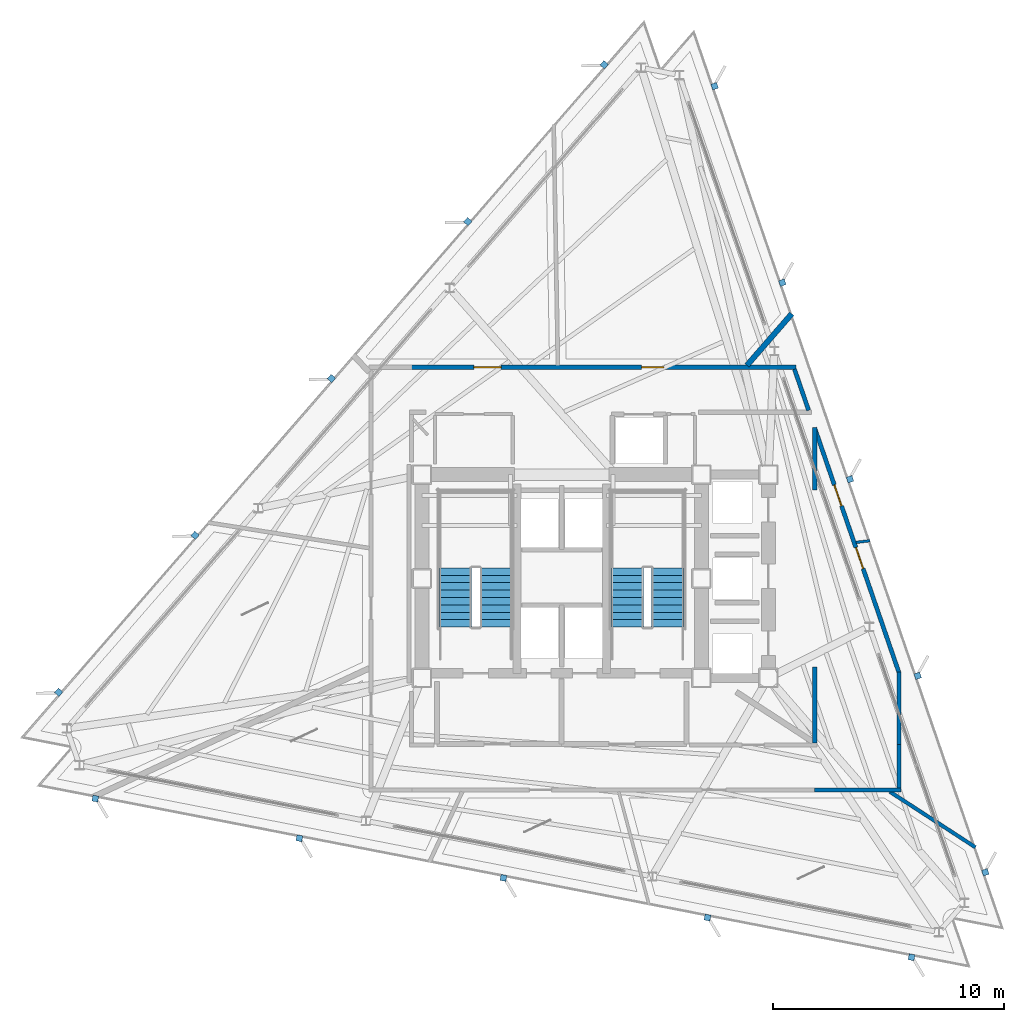
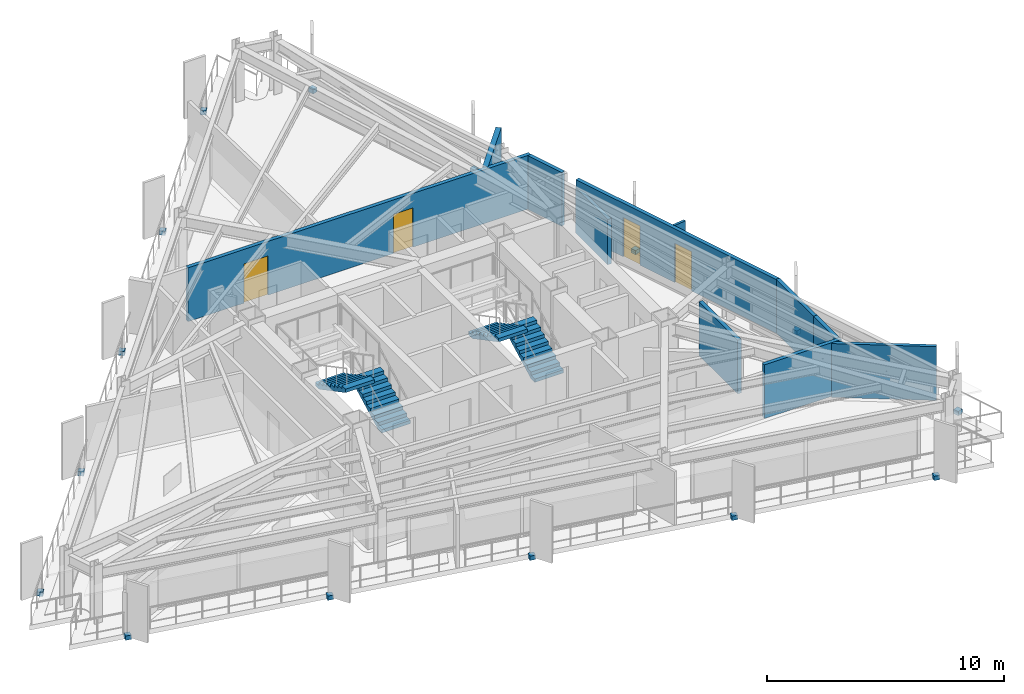
# One storey, part 10 of 13: 15 discrete accessories, 11 walls, 4 doors, 4 stair flights, 4 openings, 2 elements without a shape of their own.
"""IFC4 building model written with IfcOpenShell, lengths in metres."""

from ifc_helpers import new_model, si_unit, direction, frame, frame_2d, origin, origin_2d, place, context, subcontext, project, spatial, polyline, rectangle, outline, extrude, material, layer, layer_set, type_object, element, fill, aggregate, save


model = new_model("IFC4")

# Units and contexts
model_context = context("Model", 3, precision=1e-05, world=origin(), true_north=direction((0.0, 1.0)))
body_context = subcontext(model_context, "Body", "Model", "MODEL_VIEW")
ifc_project = project(units=[si_unit("LENGTHUNIT", "METRE"), si_unit("AREAUNIT", "SQUARE_METRE"), si_unit("VOLUMEUNIT", "CUBIC_METRE"), si_unit("PLANEANGLEUNIT", "RADIAN"), si_unit("MASSUNIT", "GRAM", prefix="KILO")], contexts=[model_context])

# Site, building, storey
site_placement = place(None, origin())
site = spatial("IfcSite", under=ifc_project, at=site_placement, CompositionType="ELEMENT")
building_placement = place(site_placement, origin())
building = spatial("IfcBuilding", under=site, at=building_placement, Name="Rocaltana Carrier Exchange", CompositionType="ELEMENT")
storey_placement = place(building_placement, frame((0.0, 0.0, 159.360107421875)))
storey = spatial("IfcBuildingStorey", under=building, at=storey_placement, Name="L50", CompositionType="ELEMENT", Elevation=159.360107421875)

# Wall
ifc_material_1 = material(Name="Double Acoustic Gypsum Partition", Category="gypsum")
ifc_layer_1 = layer(ifc_material_1, 0.159912109375)
ifc_layer_set_1 = layer_set([ifc_layer_1], Name="Double Acoustic Gypsum Partition")
wall_type_1 = type_object("IfcWallType", Name="Acoustic Studio Partition 160 EI60", PredefinedType="PARTITIONING", material=ifc_layer_set_1)
wall_1_placement = place(storey_placement, frame((14.212890625, -9.22998046875, 0.0), z_axis=(0.0, 0.0, 1.0), x_axis=(0.83867205822, -0.544636740187, 0.0)))
element("IfcWall", 1, at=wall_1_placement, inside=storey, type_object=wall_type_1, Name="L50 Suite Divider Wall D5", PredefinedType="PARTITIONING", context=body_context, shape_type="SweptSolid", body=[
    extrude(rectangle(XDim=4.41796875, YDim=0.159912109375, at=frame_2d((2.208984375, 0.0))), origin(), (0.0, 0.0, 1.0), 2.762939453125),
])

# Wall, openings, doors
ifc_material_2 = material(Name="Gypsum & Steel Stud Partition", Category="steel")
ifc_layer_2 = layer(ifc_material_2, 0.179931640625)
ifc_layer_set_2 = layer_set([ifc_layer_2], Name="Gypsum & Steel Stud Partition")
wall_type_2 = type_object("IfcWallType", Name="Corridor Fire Partition 180 EI60", PredefinedType="PARTITIONING", material=ifc_layer_set_2)
wall_2_placement = place(storey_placement, frame((-6.52001953125, 9.14990234375, 0.0), z_axis=(0.0, 0.0, 1.0), x_axis=(1.0, 0.0, 0.0)))
wall_2 = element("IfcWall", 2, at=wall_2_placement, inside=storey, type_object=wall_type_2, Name="L50 Corridor Partition 6", PredefinedType="PARTITIONING", context=body_context, shape_type="SweptSolid", body=[
    extrude(rectangle(XDim=16.662353515625, YDim=0.179931640625, at=frame_2d((8.3310546875, 0.0))), origin(), (0.0, 0.0, 1.0), 2.762939453125),
])
opening_1_placement = place(wall_2_placement, frame((9.985107421875, 0.0, 0.0)))
opening_1 = element("IfcOpeningElement", 3, at=opening_1_placement, cuts=wall_2, Name="Opening D-RM098", PredefinedType="OPENING", context=body_context, shape_type="SweptSolid", body=[
    extrude(rectangle(XDim=0.9599609375, YDim=2.02001953125, at=frame_2d((0.47998046875, 1.010009765625))), frame((0.0, 0.099853515625, 0.0), z_axis=(0.0, -1.0, 0.0), x_axis=(1.0, 0.0, 0.0)), (0.0, 0.0, 1.0), 0.199951171875),
])
opening_2_placement = place(wall_2_placement, frame((2.719482421875, 0.0, 0.0)))
opening_2 = element("IfcOpeningElement", 4, at=opening_2_placement, cuts=wall_2, Name="Opening D-SU120", PredefinedType="OPENING", context=body_context, shape_type="SweptSolid", body=[
    extrude(rectangle(XDim=1.179931640625, YDim=2.02001953125, at=frame_2d((0.58984375, 1.010009765625))), frame((0.0, 0.099853515625, 0.0), z_axis=(0.0, -1.0, 0.0), x_axis=(1.0, 0.0, 0.0)), (0.0, 0.0, 1.0), 0.199951171875),
])
ifc_material_3 = material(Name="Engineered Hardwood Timber", Category="wood")
door_type_1 = type_object("IfcDoorType", Name="Suite Double Entrance Door 1180x2020", OperationType="NOTDEFINED", PredefinedType="DOOR", material=ifc_material_3)
door_1_placement = place(opening_2_placement, origin())
door_1 = element("IfcDoor", 5, at=door_1_placement, inside=storey, type_object=door_type_1, Name="L50 Carrier Peering Suite Entrance Door", OperationType="SINGLE_SWING_RIGHT", OverallHeight=2.02001953125, OverallWidth=1.179931640625, PredefinedType="DOOR", context=body_context, shape_type="SweptSolid", body=[
    extrude(rectangle(XDim=1.179931640625, YDim=2.02001953125, at=frame_2d((0.58984375, 1.010009765625))), frame((0.0, 0.02490234375, 0.0), z_axis=(0.0, -1.0, 0.0), x_axis=(1.0, 0.0, 0.0)), (0.0, 0.0, 1.0), 0.050048828125),
])
fill(opening_2, door_1)
ifc_material_4 = material(Name="Engineered Hardwood Timber", Category="wood")
door_type_2 = type_object("IfcDoorType", Name="Workspace Single Door 960x2020", OperationType="NOTDEFINED", PredefinedType="DOOR", material=ifc_material_4)
door_2_placement = place(opening_1_placement, origin())
door_2 = element("IfcDoor", 6, at=door_2_placement, inside=storey, type_object=door_type_2, Name="L50 Incident Briefing Room Entrance Door", OperationType="SINGLE_SWING_LEFT", OverallHeight=2.02001953125, OverallWidth=0.9599609375, PredefinedType="DOOR", context=body_context, shape_type="SweptSolid", body=[
    extrude(rectangle(XDim=0.9599609375, YDim=2.02001953125, at=frame_2d((0.47998046875, 1.010009765625))), frame((0.0, 0.02490234375, 0.0), z_axis=(0.0, -1.0, 0.0), x_axis=(1.0, 0.0, 0.0)), (0.0, 0.0, 1.0), 0.050048828125),
])
fill(opening_1, door_2)

# Walls
wall_3_placement = place(storey_placement, frame((10.08154296875, 9.06494140625, 0.0), z_axis=(0.0, 0.0, 1.0), x_axis=(0.325550958337, -0.945524496524, 0.0)))
element("IfcWall", 7, at=wall_3_placement, inside=storey, type_object=wall_type_2, Name="L50 Corridor Partition 7", PredefinedType="PARTITIONING", context=body_context, shape_type="SweptSolid", body=[
    extrude(rectangle(XDim=1.88232421875, YDim=0.179931640625, at=frame_2d((0.941162109375, 0.0))), origin(), (0.0, 0.0, 1.0), 2.762939453125),
])
wall_4_placement = place(storey_placement, frame((10.9599609375, -7.110107421875, 0.0), z_axis=(0.0, 0.0, 1.0), x_axis=(0.0, 1.0, 0.0)))
element("IfcWall", 8, at=wall_4_placement, inside=storey, type_object=wall_type_2, Name="L50 Corridor Partition 15", PredefinedType="PARTITIONING", context=body_context, shape_type="SweptSolid", body=[
    extrude(rectangle(XDim=3.2705078125, YDim=0.179931640625, at=frame_2d((1.63525390625, 0.0))), origin(), (0.0, 0.0, 1.0), 2.762939453125),
])
wall_5_placement = place(storey_placement, frame((10.9599609375, 3.839599609375, 0.0), z_axis=(0.0, 0.0, 1.0), x_axis=(0.0, 1.0, 0.0)))
element("IfcWall", 9, at=wall_5_placement, inside=storey, type_object=wall_type_2, Name="L50 Corridor Partition 16", PredefinedType="PARTITIONING", context=body_context, shape_type="SweptSolid", body=[
    extrude(rectangle(XDim=2.694091796875, YDim=0.179931640625, at=frame_2d((1.34716796875, 0.0))), origin(), (0.0, 0.0, 1.0), 2.329833984375),
])

# Wall, openings, doors
wall_6_placement = place(storey_placement, frame((10.95361328125, 6.53271484375, 0.0), z_axis=(0.0, 0.0, 1.0), x_axis=(0.325553439946, -0.945523642084, 0.0)))
wall_6 = element("IfcWall", 10, at=wall_6_placement, inside=storey, type_object=wall_type_2, Name="L50 Corridor Partition 17", PredefinedType="PARTITIONING", context=body_context, shape_type="SweptSolid", body=[
    extrude(rectangle(XDim=11.220458984375, YDim=0.179931640625, at=frame_2d((5.6103515625, 0.0))), origin(), (0.0, 0.0, 1.0), 2.762939453125),
])
opening_3_placement = place(wall_6_placement, frame((5.4931640625, 0.0, 0.0)))
opening_3 = element("IfcOpeningElement", 11, at=opening_3_placement, cuts=wall_6, Name="Opening D-RM098", PredefinedType="OPENING", context=body_context, shape_type="SweptSolid", body=[
    extrude(rectangle(XDim=0.9599609375, YDim=2.02001953125, at=frame_2d((0.47998046875, 1.010009765625))), frame((0.0, 0.099853515625, 0.0), z_axis=(0.0, -1.0, 0.0), x_axis=(1.0, 0.0, 0.0)), (0.0, 0.0, 1.0), 0.199951171875),
])
opening_4_placement = place(wall_6_placement, frame((2.62060546875, 0.0, 0.0)))
opening_4 = element("IfcOpeningElement", 12, at=opening_4_placement, cuts=wall_6, Name="Opening D-RM098", PredefinedType="OPENING", context=body_context, shape_type="SweptSolid", body=[
    extrude(rectangle(XDim=0.9599609375, YDim=2.02001953125, at=frame_2d((0.47998046875, 1.010009765625))), frame((0.0, 0.099853515625, 0.0), z_axis=(0.0, -1.0, 0.0), x_axis=(1.0, 0.0, 0.0)), (0.0, 0.0, 1.0), 0.199951171875),
])
door_3_placement = place(opening_3_placement, origin())
door_3 = element("IfcDoor", 13, at=door_3_placement, inside=storey, type_object=door_type_2, Name="L50 Peering Conference Room Entrance Door", OperationType="SINGLE_SWING_LEFT", OverallHeight=2.02001953125, OverallWidth=0.9599609375, PredefinedType="DOOR", context=body_context, shape_type="SweptSolid", body=[
    extrude(rectangle(XDim=0.9599609375, YDim=2.02001953125, at=frame_2d((0.47998046875, 1.010009765625))), frame((0.0, 0.02490234375, 0.0), z_axis=(0.0, -1.0, 0.0), x_axis=(1.0, 0.0, 0.0)), (0.0, 0.0, 1.0), 0.050048828125),
])
fill(opening_3, door_3)
door_4_placement = place(opening_4_placement, origin())
door_4 = element("IfcDoor", 14, at=door_4_placement, inside=storey, type_object=door_type_2, Name="L50 Quiet Focus Lounge Entrance Door", OperationType="SINGLE_SWING_RIGHT", OverallHeight=2.02001953125, OverallWidth=0.9599609375, PredefinedType="DOOR", context=body_context, shape_type="SweptSolid", body=[
    extrude(rectangle(XDim=0.9599609375, YDim=2.02001953125, at=frame_2d((0.47998046875, 1.010009765625))), frame((0.0, 0.02490234375, 0.0), z_axis=(0.0, -1.0, 0.0), x_axis=(1.0, 0.0, 0.0)), (0.0, 0.0, 1.0), 0.050048828125),
])
fill(opening_4, door_4)

# Walls
wall_7_placement = place(storey_placement, frame((14.60009765625, -4.03759765625, 0.0), z_axis=(0.0, 0.0, 1.0), x_axis=(0.0, -1.0, 0.0)))
element("IfcWall", 15, at=wall_7_placement, inside=storey, type_object=wall_type_2, Name="L50 Corridor Partition 18", PredefinedType="PARTITIONING", context=body_context, shape_type="SweptSolid", body=[
    extrude(rectangle(XDim=3.182373046875, YDim=0.179931640625, at=frame_2d((1.59130859375, 0.0))), origin(), (0.0, 0.0, 1.0), 2.762939453125),
])
wall_8_placement = place(storey_placement, frame((14.60009765625, -7.179931640625, 0.0), z_axis=(0.0, 0.0, 1.0), x_axis=(0.0, -1.0, 0.0)))
element("IfcWall", 16, at=wall_8_placement, inside=storey, type_object=wall_type_2, Name="L50 Corridor Partition 19", PredefinedType="PARTITIONING", context=body_context, shape_type="SweptSolid", body=[
    extrude(rectangle(XDim=1.880126953125, YDim=0.179931640625, at=frame_2d((0.93994140625, 0.0))), origin(), (0.0, 0.0, 1.0), 2.762939453125),
])
wall_9_placement = place(storey_placement, frame((14.68994140625, -9.14990234375, 0.0), z_axis=(0.0, 0.0, 1.0), x_axis=(-1.0, 0.0, 0.0)))
element("IfcWall", 17, at=wall_9_placement, inside=storey, type_object=wall_type_2, Name="L50 Corridor Partition 20", PredefinedType="PARTITIONING", context=body_context, shape_type="SweptSolid", body=[
    extrude(rectangle(XDim=3.75, YDim=0.179931640625, at=frame_2d((1.875, 0.0))), origin(), (0.0, 0.0, 1.0), 2.762939453125),
])
ifc_material_5 = material(Name="Aluminium 6063-T6 & Acoustic Glass", Category="aluminium")
ifc_layer_3 = layer(ifc_material_5, 0.114990234375)
ifc_layer_set_3 = layer_set([ifc_layer_3], Name="Aluminium 6063-T6 & Acoustic Glass")
wall_type_3 = type_object("IfcWallType", Name="Demountable Glazed Lab Partition 115", PredefinedType="MOVABLE", material=ifc_layer_set_3)
wall_10_placement = place(storey_placement, frame((12.74853515625, 1.565185546875, 0.0), z_axis=(0.0, 0.0, 1.0), x_axis=(0.992500437265, 0.122241081588, 0.0)))
element("IfcWall", 18, at=wall_10_placement, inside=storey, type_object=wall_type_3, Name="L50 Suite Divider Wall D6", PredefinedType="MOVABLE", context=body_context, shape_type="SweptSolid", body=[
    extrude(rectangle(XDim=0.603271484375, YDim=0.114990234375, at=frame_2d((0.3017578125, 0.0))), origin(), (0.0, 0.0, 1.0), 2.762939453125),
])
ifc_material_6 = material(Name="Acoustic Calcium Silicate Partition", Category="gypsum")
ifc_layer_4 = layer(ifc_material_6, 0.239990234375)
ifc_layer_set_4 = layer_set([ifc_layer_4], Name="Acoustic Calcium Silicate Partition")
wall_type_4 = type_object("IfcWallType", Name="Heavy Lab Partition 240 EI90", PredefinedType="PARTITIONING", material=ifc_layer_set_4)
wall_11_placement = place(storey_placement, frame((8.0234375, 9.22998046875, 0.0), z_axis=(0.0, 0.0, 1.0), x_axis=(0.656082692906, 0.754689008844, 0.0)))
element("IfcWall", 19, at=wall_11_placement, inside=storey, type_object=wall_type_4, Name="L50 Suite Divider Wall D7", PredefinedType="PARTITIONING", context=body_context, shape_type="SweptSolid", body=[
    extrude(rectangle(XDim=2.958740234375, YDim=0.239990234375, at=frame_2d((1.4794921875, 0.0))), origin(), (0.0, 0.0, 1.0), 2.762939453125),
])

# Stair, stair flights
ifc_material_7 = material(Name="Precast concrete C45/55", Category="concrete")
stair_type = type_object("IfcStairType", Name="Standard Dog-Leg Stair 160", PredefinedType="HALF_TURN_STAIR", material=ifc_material_7)
stair_1_placement = place(storey_placement, origin())
stair_1 = element("IfcStair", 20, at=stair_1_placement, inside=storey, type_object=stair_type, Name="L50 Core West Exit Stair ST-1", PredefinedType="HALF_TURN_STAIR")
ifc_material_8 = material(Name="Precast concrete C45/55", Category="concrete")
stair_flight_type = type_object("IfcStairFlightType", Name="Precast Stair Flight 160", PredefinedType="STRAIGHT", material=ifc_material_8)
stair_flight_1_placement = place(storey_placement, frame((-2.840087890625, -2.10009765625, 0.0), z_axis=(0.0, 0.0, 1.0), x_axis=(0.0, 1.0, 0.0)))
stair_flight_1 = element("IfcStairFlight", 21, at=stair_flight_1_placement, type_object=stair_flight_type, Name="ST-1 flight 1", NumberOfRisers=9, NumberOfTreads=8, PredefinedType="STRAIGHT", RiserHeight=0.168888889, TreadLength=0.32, context=body_context, shape_type="SweptSolid", body=[
    extrude(outline(polyline([(0.0, 0.0), (0.0, 0.1689453125), (0.320068359375, 0.1689453125), (0.320068359375, 0.337890625), (0.639892578125, 0.337890625), (0.639892578125, 0.506591796875), (0.9599609375, 0.506591796875), (0.9599609375, 0.675537109375), (1.280029296875, 0.675537109375), (1.280029296875, 0.844482421875), (1.60009765625, 0.844482421875), (1.60009765625, 1.013427734375), (1.919921875, 1.013427734375), (1.919921875, 1.18212890625), (2.239990234375, 1.18212890625), (2.239990234375, 1.35107421875), (2.56005859375, 1.35107421875), (2.56005859375, 1.52001953125), (2.56005859375, 1.17041015625), (0.342529296875, 0.0), (0.0, 0.0)])), frame((0.0, 0.699951171875, 0.0), z_axis=(0.0, -1.0, 0.0), x_axis=(1.0, 0.0, 0.0)), (0.0, 0.0, 1.0), 1.39990234375),
])
stair_flight_2_placement = place(storey_placement, frame((-4.60009765625, 0.4599609375, 1.519775390625), z_axis=(0.0, 0.0, 1.0), x_axis=(0.0, -1.0, 0.0)))
stair_flight_2 = element("IfcStairFlight", 22, at=stair_flight_2_placement, type_object=stair_flight_type, Name="ST-1 flight 2", NumberOfRisers=9, NumberOfTreads=8, PredefinedType="STRAIGHT", RiserHeight=0.168888889, TreadLength=0.32, context=body_context, shape_type="SweptSolid", body=[
    extrude(outline(polyline([(0.0, 0.0), (0.0, 0.1689453125), (0.320068359375, 0.1689453125), (0.320068359375, 0.337890625), (0.639892578125, 0.337890625), (0.639892578125, 0.506591796875), (0.9599609375, 0.506591796875), (0.9599609375, 0.675537109375), (1.280029296875, 0.675537109375), (1.280029296875, 0.844482421875), (1.60009765625, 0.844482421875), (1.60009765625, 1.013427734375), (1.919921875, 1.013427734375), (1.919921875, 1.18212890625), (2.239990234375, 1.18212890625), (2.239990234375, 1.35107421875), (2.56005859375, 1.35107421875), (2.56005859375, 1.52001953125), (2.56005859375, 1.17041015625), (0.342529296875, 0.0), (0.0, 0.0)])), frame((0.0, 0.699951171875, 0.0), z_axis=(0.0, -1.0, 0.0), x_axis=(1.0, 0.0, 0.0)), (0.0, 0.0, 1.0), 1.39990234375),
])
aggregate(stair_1, [stair_flight_1, stair_flight_2])

stair_2_placement = place(storey_placement, origin())
stair_2 = element("IfcStair", 23, at=stair_2_placement, inside=storey, type_object=stair_type, Name="L50 Core East Exit Stair ST-2", PredefinedType="HALF_TURN_STAIR")
stair_flight_3_placement = place(storey_placement, frame((4.60009765625, -2.10009765625, 0.0), z_axis=(0.0, 0.0, 1.0), x_axis=(0.0, 1.0, 0.0)))
stair_flight_3 = element("IfcStairFlight", 24, at=stair_flight_3_placement, type_object=stair_flight_type, Name="ST-2 flight 1", NumberOfRisers=9, NumberOfTreads=8, PredefinedType="STRAIGHT", RiserHeight=0.168888889, TreadLength=0.32, context=body_context, shape_type="SweptSolid", body=[
    extrude(outline(polyline([(0.0, 0.0), (0.0, 0.1689453125), (0.320068359375, 0.1689453125), (0.320068359375, 0.337890625), (0.639892578125, 0.337890625), (0.639892578125, 0.506591796875), (0.9599609375, 0.506591796875), (0.9599609375, 0.675537109375), (1.280029296875, 0.675537109375), (1.280029296875, 0.844482421875), (1.60009765625, 0.844482421875), (1.60009765625, 1.013427734375), (1.919921875, 1.013427734375), (1.919921875, 1.18212890625), (2.239990234375, 1.18212890625), (2.239990234375, 1.35107421875), (2.56005859375, 1.35107421875), (2.56005859375, 1.52001953125), (2.56005859375, 1.17041015625), (0.342529296875, 0.0), (0.0, 0.0)])), frame((0.0, 0.699951171875, 0.0), z_axis=(0.0, -1.0, 0.0), x_axis=(1.0, 0.0, 0.0)), (0.0, 0.0, 1.0), 1.39990234375),
])
stair_flight_4_placement = place(storey_placement, frame((2.840087890625, 0.4599609375, 1.519775390625), z_axis=(0.0, 0.0, 1.0), x_axis=(0.0, -1.0, 0.0)))
stair_flight_4 = element("IfcStairFlight", 25, at=stair_flight_4_placement, type_object=stair_flight_type, Name="ST-2 flight 2", NumberOfRisers=9, NumberOfTreads=8, PredefinedType="STRAIGHT", RiserHeight=0.168888889, TreadLength=0.32, context=body_context, shape_type="SweptSolid", body=[
    extrude(outline(polyline([(0.0, 0.0), (0.0, 0.1689453125), (0.320068359375, 0.1689453125), (0.320068359375, 0.337890625), (0.639892578125, 0.337890625), (0.639892578125, 0.506591796875), (0.9599609375, 0.506591796875), (0.9599609375, 0.675537109375), (1.280029296875, 0.675537109375), (1.280029296875, 0.844482421875), (1.60009765625, 0.844482421875), (1.60009765625, 1.013427734375), (1.919921875, 1.013427734375), (1.919921875, 1.18212890625), (2.239990234375, 1.18212890625), (2.239990234375, 1.35107421875), (2.56005859375, 1.35107421875), (2.56005859375, 1.52001953125), (2.56005859375, 1.17041015625), (0.342529296875, 0.0), (0.0, 0.0)])), frame((0.0, 0.699951171875, 0.0), z_axis=(0.0, -1.0, 0.0), x_axis=(1.0, 0.0, 0.0)), (0.0, 0.0, 1.0), 1.39990234375),
])
aggregate(stair_2, [stair_flight_3, stair_flight_4])

# Discrete accessories
ifc_material_9 = material(Name="Brushed Architectural Stainless Metal", Category="steel")
ifc_layer_5 = layer(ifc_material_9, 0.219970703125)
ifc_layer_set_5 = layer_set([ifc_layer_5], Name="Brushed Architectural Stainless Metal")
discrete_accessory_type = type_object("IfcDiscreteAccessoryType", Name="Stainless Fin Slab-Edge Bracket 260x260x220", PredefinedType="BRACKET", material=ifc_layer_set_5)
for number, where, z_axis, x_axis, name in (
    (26, (18.344482421875, -12.720703125, -0.2099609375), (0.0, 0.0, 1.0), (-0.325568154457, 0.945518575599, 0.0), "L50 Sandstone Fin Edge Bracket F1-01"),
    (27, (15.414306640625, -4.2109375, -0.2099609375), (0.0, 0.0, 1.0), (-0.325568154457, 0.945518575599, 0.0), "L50 Sandstone Fin Edge Bracket F1-02"),
    (28, (12.484130859375, 4.298583984375, -0.2099609375), (0.0, 0.0, 1.0), (-0.325568154457, 0.945518575599, 0.0), "L50 Sandstone Fin Edge Bracket F1-03"),
    (29, (9.55419921875, 12.808349609375, -0.2099609375), (0.0, 0.0, 1.0), (-0.325568154457, 0.945518575599, 0.0), "L50 Sandstone Fin Edge Bracket F1-04"),
    (30, (6.6240234375, 21.318115234375, -0.2099609375), (0.0, 0.0, 1.0), (-0.325568154457, 0.945518575599, 0.0), "L50 Sandstone Fin Edge Bracket F1-05"),
    (31, (1.84423828125, 22.2470703125, -0.2099609375), (0.0, 0.0, 1.0), (-0.656059028991, -0.754709580223, 0.0), "L50 Sandstone Fin Edge Bracket F2-01"),
    (32, (-4.060302734375, 15.45458984375, -0.2099609375), (0.0, 0.0, 1.0), (-0.656059028991, -0.754709580223, 0.0), "L50 Sandstone Fin Edge Bracket F2-02"),
    (33, (-9.96484375, 8.662353515625, -0.2099609375), (0.0, 0.0, 1.0), (-0.656059028991, -0.754709580223, 0.0), "L50 Sandstone Fin Edge Bracket F2-03"),
    (34, (-15.869384765625, 1.869873046875, -0.2099609375), (0.0, 0.0, 1.0), (-0.656059028991, -0.754709580223, 0.0), "L50 Sandstone Fin Edge Bracket F2-04"),
    (35, (-21.77392578125, -4.92236328125, -0.2099609375), (0.0, 0.0, 1.0), (-0.656059028991, -0.754709580223, 0.0), "L50 Sandstone Fin Edge Bracket F2-05"),
    (36, (-20.188720703125, -9.5263671875, -0.2099609375), (0.0, 0.0, 1.0), (0.981627183448, -0.190808995377, 0.0), "L50 Sandstone Fin Edge Bracket F3-01"),
    (37, (-11.35400390625, -11.24365234375, -0.2099609375), (0.0, 0.0, 1.0), (0.981627183448, -0.190808995377, 0.0), "L50 Sandstone Fin Edge Bracket F3-02"),
    (38, (-2.519287109375, -12.9609375, -0.2099609375), (0.0, 0.0, 1.0), (0.981627183448, -0.190808995377, 0.0), "L50 Sandstone Fin Edge Bracket F3-03"),
    (39, (6.315185546875, -14.67822265625, -0.2099609375), (0.0, 0.0, 1.0), (0.981627183448, -0.190808995377, 0.0), "L50 Sandstone Fin Edge Bracket F3-04"),
    (40, (15.14990234375, -16.3955078125, -0.2099609375), (0.0, 0.0, 1.0), (0.981627183448, -0.190808995377, 0.0), "L50 Sandstone Fin Edge Bracket F3-05"),
):
    element("IfcDiscreteAccessory", number, at=place(storey_placement, frame(where, z_axis=z_axis, x_axis=x_axis)), inside=storey, type_object=discrete_accessory_type, Name=name, PredefinedType="BRACKET", context=body_context, shape_type="SweptSolid", body=[
        extrude(rectangle(XDim=0.260009765625, YDim=0.260009765625, at=origin_2d()), origin(), (0.0, 0.0, 1.0), 0.219970703125),
    ])

save(model, "model.ifc")
